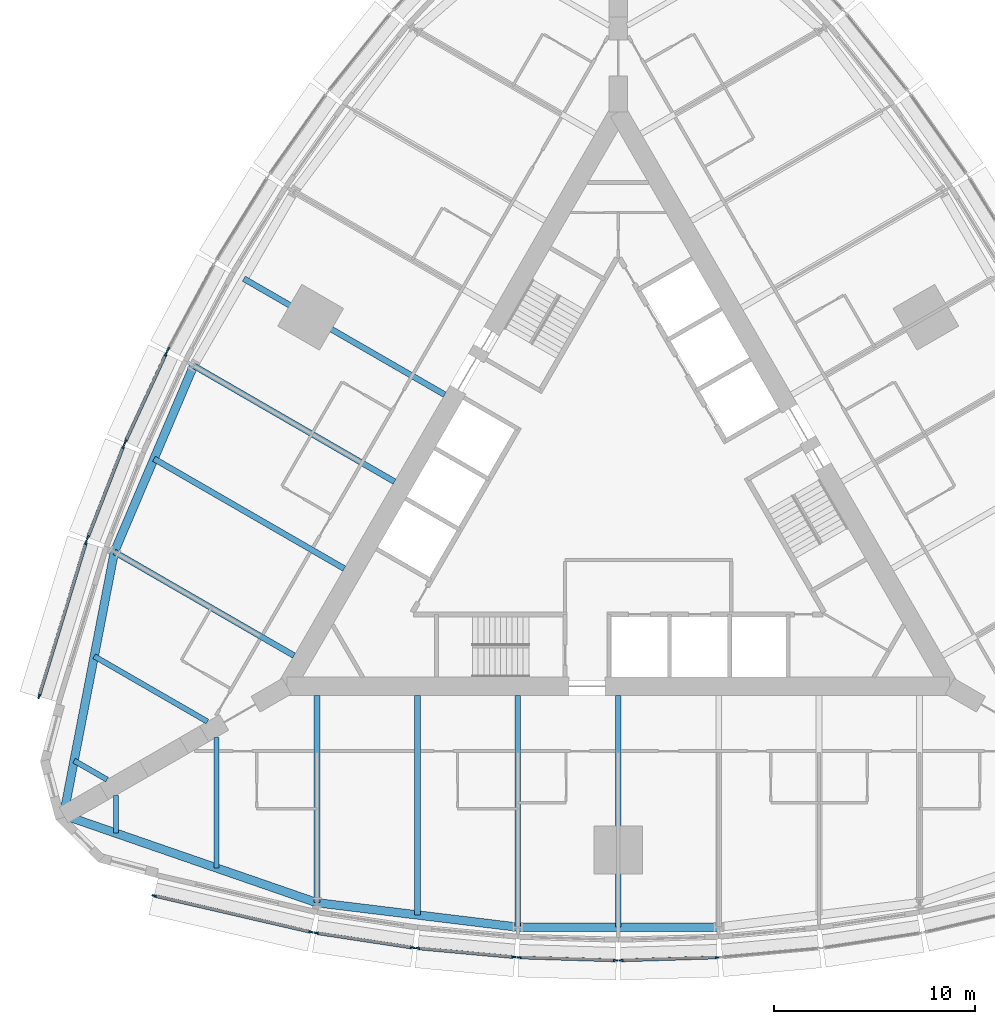
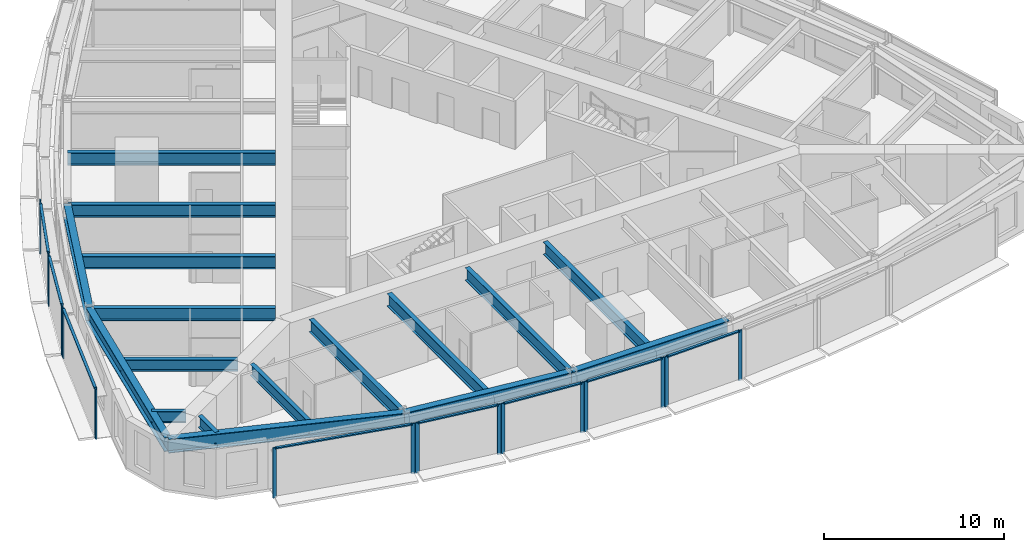
# One storey, part 2 of 14: 25 members, 17 beams, 9 elements without a shape of their own.
"""IFC4 building model written with IfcOpenShell, lengths in metres."""

from ifc_helpers import new_model, si_unit, direction, frame, origin, origin_2d, place, context, subcontext, project, spatial, rectangle, i_section, extrude, material, material_profile, profile_set, type_object, element, aggregate, save


model = new_model("IFC4")

# Units and contexts
model_context = context("Model", 3, precision=1e-05, world=origin(), true_north=direction((0.0, 1.0)))
body_context = subcontext(model_context, "Body", "Model", "MODEL_VIEW")
ifc_project = project(units=[si_unit("LENGTHUNIT", "METRE"), si_unit("AREAUNIT", "SQUARE_METRE"), si_unit("VOLUMEUNIT", "CUBIC_METRE"), si_unit("PLANEANGLEUNIT", "RADIAN"), si_unit("MASSUNIT", "GRAM", prefix="KILO")], contexts=[model_context])

# Site, building, storey
site_placement = place(None, origin())
site = spatial("IfcSite", under=ifc_project, at=site_placement, CompositionType="ELEMENT")
building_placement = place(site_placement, origin())
building = spatial("IfcBuilding", under=site, at=building_placement, Name="Trikona Tower", CompositionType="ELEMENT")
storey_placement = place(building_placement, frame((0.0, 0.0, 93.10009765625)))
storey = spatial("IfcBuildingStorey", under=building, at=storey_placement, Name="L24", CompositionType="ELEMENT", Elevation=93.10009765625)

# Curtain wall, members
ifc_material_1 = material(Name="Aluminium curtain wall system", Category="aluminium")
curtain_wall_type = type_object("IfcCurtainWallType", Name="Curtain wall DS1", PredefinedType="NOTDEFINED", material=ifc_material_1)
curtain_wall_1_placement = place(storey_placement, origin())
curtain_wall_1 = element("IfcCurtainWall", 1, at=curtain_wall_1_placement, inside=storey, type_object=curtain_wall_type, Name="Curtain wall DS1 L24", PredefinedType="NOTDEFINED")
ifc_material_2 = material(Name="Aluminium mullion, pale anodised", Category="aluminium")
ifc_material_profile_1 = material_profile(ifc_material_2, rectangle(XDim=0.080078125, YDim=0.219970703125, at=origin_2d()), Name="MUL-DS1")
ifc_profile_set_1 = profile_set([ifc_material_profile_1], Name="Aluminium mullion, pale anodised")
member_type_1 = type_object("IfcMemberType", Name="Mullion DS1 80x220", PredefinedType="MULLION", material=ifc_profile_set_1)
member_1_placement = place(storey_placement, frame((-23.10546875, -19.951904296875, 0.0), z_axis=(0.0, 0.0, 1.0), x_axis=(0.225343288756, 0.974279427173, 0.0)))
member_1 = element("IfcMember", 2, at=member_1_placement, type_object=member_type_1, Name="CW-DS1 mullion 1", PredefinedType="MULLION", context=body_context, shape_type="SweptSolid", body=[
    extrude(rectangle(XDim=0.080078125, YDim=0.219970703125, at=origin_2d()), origin(), (0.0, 0.0, 1.0), 3.39990234375),
])
member_2_placement = place(storey_placement, frame((-15.30029296875, -21.75732421875, 0.0), z_axis=(0.0, 0.0, 1.0), x_axis=(0.225343288756, 0.974279427173, 0.0)))
member_2 = element("IfcMember", 3, at=member_2_placement, type_object=member_type_1, Name="CW-DS1 mullion 2", PredefinedType="MULLION", context=body_context, shape_type="SweptSolid", body=[
    extrude(rectangle(XDim=0.080078125, YDim=0.219970703125, at=origin_2d()), origin(), (0.0, 0.0, 1.0), 3.39990234375),
])

curtain_wall_2_placement = place(storey_placement, origin())
curtain_wall_2 = element("IfcCurtainWall", 4, at=curtain_wall_2_placement, inside=storey, type_object=curtain_wall_type, Name="Curtain wall DS1 L24", PredefinedType="NOTDEFINED")
member_3_placement = place(storey_placement, frame((-15.03662109375, -21.807861328125, 0.0), z_axis=(0.0, 0.0, 1.0), x_axis=(0.150437693845, 0.988619492156, 0.0)))
member_3 = element("IfcMember", 5, at=member_3_placement, type_object=member_type_1, Name="CW-DS1 mullion 1", PredefinedType="MULLION", context=body_context, shape_type="SweptSolid", body=[
    extrude(rectangle(XDim=0.080078125, YDim=0.219970703125, at=origin_2d()), origin(), (0.0, 0.0, 1.0), 3.39990234375),
])
member_4_placement = place(storey_placement, frame((-10.234130859375, -22.53857421875, 0.0), z_axis=(0.0, 0.0, 1.0), x_axis=(0.150437693845, 0.988619492156, 0.0)))
member_4 = element("IfcMember", 6, at=member_4_placement, type_object=member_type_1, Name="CW-DS1 mullion 2", PredefinedType="MULLION", context=body_context, shape_type="SweptSolid", body=[
    extrude(rectangle(XDim=0.080078125, YDim=0.219970703125, at=origin_2d()), origin(), (0.0, 0.0, 1.0), 3.39990234375),
])

curtain_wall_3_placement = place(storey_placement, origin())
curtain_wall_3 = element("IfcCurtainWall", 7, at=curtain_wall_3_placement, inside=storey, type_object=curtain_wall_type, Name="Curtain wall DS1 L24", PredefinedType="NOTDEFINED")
member_5_placement = place(storey_placement, frame((-9.982177734375, -22.5693359375, 0.0), z_axis=(0.0, 0.0, 1.0), x_axis=(0.090923932737, 0.995857840485, 0.0)))
member_5 = element("IfcMember", 8, at=member_5_placement, type_object=member_type_1, Name="CW-DS1 mullion 1", PredefinedType="MULLION", context=body_context, shape_type="SweptSolid", body=[
    extrude(rectangle(XDim=0.080078125, YDim=0.219970703125, at=origin_2d()), origin(), (0.0, 0.0, 1.0), 3.39990234375),
])
member_6_placement = place(storey_placement, frame((-5.181396484375, -23.007568359375, 0.0), z_axis=(0.0, 0.0, 1.0), x_axis=(0.090923932737, 0.995857840485, 0.0)))
member_6 = element("IfcMember", 9, at=member_6_placement, type_object=member_type_1, Name="CW-DS1 mullion 2", PredefinedType="MULLION", context=body_context, shape_type="SweptSolid", body=[
    extrude(rectangle(XDim=0.080078125, YDim=0.219970703125, at=origin_2d()), origin(), (0.0, 0.0, 1.0), 3.39990234375),
])

curtain_wall_4_placement = place(storey_placement, origin())
curtain_wall_4 = element("IfcCurtainWall", 10, at=curtain_wall_4_placement, inside=storey, type_object=curtain_wall_type, Name="Curtain wall DS1 L24", PredefinedType="NOTDEFINED")
member_7_placement = place(storey_placement, frame((-4.927490234375, -23.02294921875, 0.0), z_axis=(0.0, 0.0, 1.0), x_axis=(0.030436711692, 0.999536695965, 0.0)))
member_7 = element("IfcMember", 11, at=member_7_placement, type_object=member_type_1, Name="CW-DS1 mullion 1", PredefinedType="MULLION", context=body_context, shape_type="SweptSolid", body=[
    extrude(rectangle(XDim=0.080078125, YDim=0.219970703125, at=origin_2d()), origin(), (0.0, 0.0, 1.0), 3.39990234375),
])
member_8_placement = place(storey_placement, frame((-0.12744140625, -23.169189453125, 0.0), z_axis=(0.0, 0.0, 1.0), x_axis=(0.030436711692, 0.999536695965, 0.0)))
member_8 = element("IfcMember", 12, at=member_8_placement, type_object=member_type_1, Name="CW-DS1 mullion 2", PredefinedType="MULLION", context=body_context, shape_type="SweptSolid", body=[
    extrude(rectangle(XDim=0.080078125, YDim=0.219970703125, at=origin_2d()), origin(), (0.0, 0.0, 1.0), 3.39990234375),
])

curtain_wall_5_placement = place(storey_placement, origin())
curtain_wall_5 = element("IfcCurtainWall", 13, at=curtain_wall_5_placement, inside=storey, type_object=curtain_wall_type, Name="Curtain wall DS1 L24", PredefinedType="NOTDEFINED")
member_9_placement = place(storey_placement, frame((0.12744140625, -23.169189453125, 0.0), z_axis=(0.0, 0.0, 1.0), x_axis=(-0.030436711692, 0.999536695965, 0.0)))
member_9 = element("IfcMember", 14, at=member_9_placement, type_object=member_type_1, Name="CW-DS1 mullion 1", PredefinedType="MULLION", context=body_context, shape_type="SweptSolid", body=[
    extrude(rectangle(XDim=0.080078125, YDim=0.219970703125, at=origin_2d()), origin(), (0.0, 0.0, 1.0), 3.39990234375),
])
member_10_placement = place(storey_placement, frame((4.927490234375, -23.02294921875, 0.0), z_axis=(0.0, 0.0, 1.0), x_axis=(-0.030436711692, 0.999536695965, 0.0)))
member_10 = element("IfcMember", 15, at=member_10_placement, type_object=member_type_1, Name="CW-DS1 mullion 2", PredefinedType="MULLION", context=body_context, shape_type="SweptSolid", body=[
    extrude(rectangle(XDim=0.080078125, YDim=0.219970703125, at=origin_2d()), origin(), (0.0, 0.0, 1.0), 3.39990234375),
])

# Curtain wall, member
curtain_wall_6_placement = place(storey_placement, origin())
curtain_wall_6 = element("IfcCurtainWall", 16, at=curtain_wall_6_placement, inside=storey, type_object=curtain_wall_type, Name="Curtain wall DS1 L24", PredefinedType="NOTDEFINED")
member_11_placement = place(storey_placement, frame((-22.402099609375, 7.244140625, 0.0), z_axis=(0.0, 0.0, 1.0), x_axis=(0.880843080975, -0.473408350896, 0.0)))
member_11 = element("IfcMember", 17, at=member_11_placement, type_object=member_type_1, Name="CW-DS1 mullion 2", PredefinedType="MULLION", context=body_context, shape_type="SweptSolid", body=[
    extrude(rectangle(XDim=0.080078125, YDim=0.219970703125, at=origin_2d()), origin(), (0.0, 0.0, 1.0), 3.39990234375),
])
aggregate(curtain_wall_6, [member_11])

# Curtain wall, members
curtain_wall_7_placement = place(storey_placement, origin())
curtain_wall_7 = element("IfcCurtainWall", 18, at=curtain_wall_7_placement, inside=storey, type_object=curtain_wall_type, Name="Curtain wall DS1 L24", PredefinedType="NOTDEFINED")
member_12_placement = place(storey_placement, frame((-22.515869140625, 7.0166015625, 0.0), z_axis=(0.0, 0.0, 1.0), x_axis=(0.907898459992, -0.419190155352, 0.0)))
member_12 = element("IfcMember", 19, at=member_12_placement, type_object=member_type_1, Name="CW-DS1 mullion 1", PredefinedType="MULLION", context=body_context, shape_type="SweptSolid", body=[
    extrude(rectangle(XDim=0.080078125, YDim=0.219970703125, at=origin_2d()), origin(), (0.0, 0.0, 1.0), 3.39990234375),
])
member_13_placement = place(storey_placement, frame((-24.53662109375, 2.6396484375, 0.0), z_axis=(0.0, 0.0, 1.0), x_axis=(0.907898459992, -0.419190155352, 0.0)))
member_13 = element("IfcMember", 20, at=member_13_placement, type_object=member_type_1, Name="CW-DS1 mullion 2", PredefinedType="MULLION", context=body_context, shape_type="SweptSolid", body=[
    extrude(rectangle(XDim=0.080078125, YDim=0.219970703125, at=origin_2d()), origin(), (0.0, 0.0, 1.0), 3.39990234375),
])

curtain_wall_8_placement = place(storey_placement, origin())
curtain_wall_8 = element("IfcCurtainWall", 21, at=curtain_wall_8_placement, inside=storey, type_object=curtain_wall_type, Name="Curtain wall DS1 L24", PredefinedType="NOTDEFINED")
member_14_placement = place(storey_placement, frame((-24.63623046875, 2.40625, 0.0), z_axis=(0.0, 0.0, 1.0), x_axis=(0.931395989443, -0.36400756977, 0.0)))
member_14 = element("IfcMember", 22, at=member_14_placement, type_object=member_type_1, Name="CW-DS1 mullion 1", PredefinedType="MULLION", context=body_context, shape_type="SweptSolid", body=[
    extrude(rectangle(XDim=0.080078125, YDim=0.219970703125, at=origin_2d()), origin(), (0.0, 0.0, 1.0), 3.39990234375),
])
member_15_placement = place(storey_placement, frame((-26.404296875, -2.1181640625, 0.0), z_axis=(0.0, 0.0, 1.0), x_axis=(0.931395989443, -0.36400756977, 0.0)))
member_15 = element("IfcMember", 23, at=member_15_placement, type_object=member_type_1, Name="CW-DS1 mullion 2", PredefinedType="MULLION", context=body_context, shape_type="SweptSolid", body=[
    extrude(rectangle(XDim=0.080078125, YDim=0.219970703125, at=origin_2d()), origin(), (0.0, 0.0, 1.0), 3.39990234375),
])

curtain_wall_9_placement = place(storey_placement, origin())
curtain_wall_9 = element("IfcCurtainWall", 24, at=curtain_wall_9_placement, inside=storey, type_object=curtain_wall_type, Name="Curtain wall DS1 L24", PredefinedType="NOTDEFINED")
member_16_placement = place(storey_placement, frame((-26.492431640625, -2.371826171875, 0.0), z_axis=(0.0, 0.0, 1.0), x_axis=(0.956423115383, -0.291984287868, 0.0)))
member_16 = element("IfcMember", 25, at=member_16_placement, type_object=member_type_1, Name="CW-DS1 mullion 1", PredefinedType="MULLION", context=body_context, shape_type="SweptSolid", body=[
    extrude(rectangle(XDim=0.080078125, YDim=0.219970703125, at=origin_2d()), origin(), (0.0, 0.0, 1.0), 3.39990234375),
])
member_17_placement = place(storey_placement, frame((-28.83154296875, -10.033935546875, 0.0), z_axis=(0.0, 0.0, 1.0), x_axis=(0.956423115383, -0.291984287868, 0.0)))
member_17 = element("IfcMember", 26, at=member_17_placement, type_object=member_type_1, Name="CW-DS1 mullion 2", PredefinedType="MULLION", context=body_context, shape_type="SweptSolid", body=[
    extrude(rectangle(XDim=0.080078125, YDim=0.219970703125, at=origin_2d()), origin(), (0.0, 0.0, 1.0), 3.39990234375),
])

# Beams
ifc_material_3 = material(Name="Steel ASTM A992 Grade 50", Category="steel")
ifc_material_profile_2 = material_profile(ifc_material_3, i_section(OverallWidth=0.2666015625, OverallDepth=0.76953125, WebThickness=0.015625, FlangeThickness=0.025390625, at=origin_2d()), Name="W30X132")
ifc_profile_set_2 = profile_set([ifc_material_profile_2], Name="Steel ASTM A992 Grade 50")
beam_type_1 = type_object("IfcBeamType", Name="Steel beam W30x132 (wedge)", PredefinedType="BEAM", material=ifc_profile_set_2)
beam_1_placement = place(storey_placement, frame((-25.0, -14.953369140625, 2.85009765625), z_axis=(0.0, -1.0, 0.0), x_axis=(1.0, 0.0, 0.0)))
element("IfcBeam", 27, at=beam_1_placement, inside=storey, type_object=beam_type_1, Name="Floor beam L25 F1 u-25", PredefinedType="BEAM", context=body_context, shape_type="SweptSolid", body=[
    extrude(i_section(OverallWidth=0.2666015625, OverallDepth=0.76953125, WebThickness=0.015625, FlangeThickness=0.025390625, at=origin_2d()), origin(), (0.0, 0.0, 1.0), 1.890380859375),
])
for number, where, z_axis, x_axis, name in (
    (28, (-20.0, -12.066650390625, 2.85009765625), (0.0, -1.0, 0.0), (1.0, 0.0, 0.0), "Floor beam L25 F1 u-20"),
    (29, (-20.449951171875, -11.287109375, 2.85009765625), (-0.866022504693, 0.50000502134, 0.0), (-0.50000502134, -0.866022504693, 0.0), "Floor beam L25 F3 u20"),
):
    element("IfcBeam", number, at=place(storey_placement, frame(where, z_axis=z_axis, x_axis=x_axis)), inside=storey, type_object=beam_type_1, Name=name, PredefinedType="BEAM", context=body_context, shape_type="SweptSolid", body=[
        extrude(i_section(OverallWidth=0.2666015625, OverallDepth=0.76953125, WebThickness=0.015625, FlangeThickness=0.025390625, at=origin_2d()), origin(), (0.0, 0.0, 1.0), 6.5068359375),
    ])
beam_2_placement = place(storey_placement, frame((-25.449951171875, -14.173828125, 2.85009765625), z_axis=(-0.866065156741, 0.499931139538, 0.0), x_axis=(-0.499931139538, -0.866065156741, 0.0)))
element("IfcBeam", 30, at=beam_2_placement, inside=storey, type_object=beam_type_1, Name="Floor beam L25 F3 u25", PredefinedType="BEAM", context=body_context, shape_type="SweptSolid", body=[
    extrude(i_section(OverallWidth=0.2666015625, OverallDepth=0.76953125, WebThickness=0.015625, FlangeThickness=0.025390625, at=origin_2d()), origin(), (0.0, 0.0, 1.0), 1.890380859375),
])
ifc_material_4 = material(Name="Steel ASTM A992 Grade 50", Category="steel")
ifc_material_profile_3 = material_profile(ifc_material_4, i_section(OverallWidth=0.2919921875, OverallDepth=0.845703125, WebThickness=0.015380859375, FlangeThickness=0.0244140625, at=origin_2d()), Name="W33X141")
ifc_profile_set_3 = profile_set([ifc_material_profile_3], Name="Steel ASTM A992 Grade 50")
beam_type_2 = type_object("IfcBeamType", Name="Steel beam W33x141 (radial typ)", PredefinedType="BEAM", material=ifc_profile_set_3)
beam_3_placement = place(storey_placement, frame((-15.0, -9.976318359375, 2.81201171875), z_axis=(0.0, -1.0, 0.0), x_axis=(1.0, 0.0, 0.0)))
element("IfcBeam", 31, at=beam_3_placement, inside=storey, type_object=beam_type_2, Name="Floor beam L25 F1 u-15", PredefinedType="BEAM", context=body_context, shape_type="SweptSolid", body=[
    extrude(i_section(OverallWidth=0.2919921875, OverallDepth=0.845703125, WebThickness=0.015380859375, FlangeThickness=0.0244140625, at=origin_2d()), origin(), (0.0, 0.0, 1.0), 10.32666015625),
])
beam_4_placement = place(storey_placement, frame((-10.0, -9.976318359375, 2.81201171875), z_axis=(0.0, -1.0, 0.0), x_axis=(1.0, 0.0, 0.0)))
element("IfcBeam", 32, at=beam_4_placement, inside=storey, type_object=beam_type_2, Name="Floor beam L25 F1 u-10", PredefinedType="BEAM", context=body_context, shape_type="SweptSolid", body=[
    extrude(i_section(OverallWidth=0.2919921875, OverallDepth=0.845703125, WebThickness=0.015380859375, FlangeThickness=0.0244140625, at=origin_2d()), origin(), (0.0, 0.0, 1.0), 10.935302734375),
])
for number, where, z_axis, x_axis, name in (
    (33, (-5.0, -9.976318359375, 2.81201171875), (0.0, -1.0, 0.0), (1.0, 0.0, 0.0), "Floor beam L25 F1 u-5"),
    (34, (0.0, -9.976318359375, 2.81201171875), (0.0, -1.0, 0.0), (1.0, 0.0, 0.0), "Floor beam L25 F1 u0"),
    (35, (-8.6396484375, 4.988037109375, 2.81201171875), (-0.866020765707, 0.500008033299, 0.0), (-0.500008033299, -0.866020765707, 0.0), "Floor beam L25 F3 u0"),
    (36, (-11.1396484375, 0.657958984375, 2.81201171875), (-0.866020765707, 0.500008033299, 0.0), (-0.500008033299, -0.866020765707, 0.0), "Floor beam L25 F3 u5"),
):
    element("IfcBeam", number, at=place(storey_placement, frame(where, z_axis=z_axis, x_axis=x_axis)), inside=storey, type_object=beam_type_2, Name=name, PredefinedType="BEAM", context=body_context, shape_type="SweptSolid", body=[
        extrude(i_section(OverallWidth=0.2919921875, OverallDepth=0.845703125, WebThickness=0.015380859375, FlangeThickness=0.0244140625, at=origin_2d()), origin(), (0.0, 0.0, 1.0), 11.544189453125),
    ])
beam_5_placement = place(storey_placement, frame((-13.6396484375, -3.672119140625, 2.81201171875), z_axis=(-0.866025348605, 0.500000095573, 0.0), x_axis=(-0.500000095573, -0.866025348605, 0.0)))
element("IfcBeam", 37, at=beam_5_placement, inside=storey, type_object=beam_type_2, Name="Floor beam L25 F3 u10", PredefinedType="BEAM", context=body_context, shape_type="SweptSolid", body=[
    extrude(i_section(OverallWidth=0.2919921875, OverallDepth=0.845703125, WebThickness=0.015380859375, FlangeThickness=0.0244140625, at=origin_2d()), origin(), (0.0, 0.0, 1.0), 10.935546875),
])
beam_6_placement = place(storey_placement, frame((-16.1396484375, -8.002197265625, 2.81201171875), z_axis=(-0.866030471684, 0.499991222037, 0.0), x_axis=(-0.499991222037, -0.866030471684, 0.0)))
element("IfcBeam", 38, at=beam_6_placement, inside=storey, type_object=beam_type_2, Name="Floor beam L25 F3 u15", PredefinedType="BEAM", context=body_context, shape_type="SweptSolid", body=[
    extrude(i_section(OverallWidth=0.2919921875, OverallDepth=0.845703125, WebThickness=0.015380859375, FlangeThickness=0.0244140625, at=origin_2d()), origin(), (0.0, 0.0, 1.0), 10.326904296875),
])
ifc_material_5 = material(Name="Steel ASTM A992 Grade 50", Category="steel")
ifc_material_profile_4 = material_profile(ifc_material_5, i_section(OverallWidth=0.424072265625, OverallDepth=0.947509765625, WebThickness=0.02392578125, FlangeThickness=0.042724609375, at=origin_2d()), Name="W36X302")
ifc_profile_set_4 = profile_set([ifc_material_profile_4], Name="Steel ASTM A992 Grade 50")
beam_type_3 = type_object("IfcBeamType", Name="Steel beam W36x302 (spandrel)", PredefinedType="SPANDREL", material=ifc_profile_set_4)
beam_7_placement = place(storey_placement, frame((-27.6103515625, -15.94091796875, 2.76123046875), z_axis=(0.945056965739, -0.326905692071, 0.0), x_axis=(0.326905692071, 0.945056965739, 0.0)))
element("IfcBeam", 39, at=beam_7_placement, inside=storey, type_object=beam_type_3, Name="Spandrel beam L25 F1-1", PredefinedType="SPANDREL", context=body_context, shape_type="SweptSolid", body=[
    extrude(i_section(OverallWidth=0.424072265625, OverallDepth=0.947509765625, WebThickness=0.02392578125, FlangeThickness=0.042724609375, at=origin_2d()), origin(), (0.0, 0.0, 1.0), 13.343505859375),
])
beam_8_placement = place(storey_placement, frame((-15.0, -20.302978515625, 2.76123046875), z_axis=(0.99266951126, -0.120860421207, 0.0), x_axis=(0.120860421207, 0.99266951126, 0.0)))
element("IfcBeam", 40, at=beam_8_placement, inside=storey, type_object=beam_type_3, Name="Spandrel beam L25 F1-2", PredefinedType="SPANDREL", context=body_context, shape_type="SweptSolid", body=[
    extrude(i_section(OverallWidth=0.424072265625, OverallDepth=0.947509765625, WebThickness=0.02392578125, FlangeThickness=0.042724609375, at=origin_2d()), origin(), (0.0, 0.0, 1.0), 10.07373046875),
])
beam_9_placement = place(storey_placement, frame((-5.0, -21.5205078125, 2.76123046875), z_axis=(1.0, 0.0, 0.0), x_axis=(0.0, 1.0, 0.0)))
element("IfcBeam", 41, at=beam_9_placement, inside=storey, type_object=beam_type_3, Name="Spandrel beam L25 F1-3", PredefinedType="SPANDREL", context=body_context, shape_type="SweptSolid", body=[
    extrude(i_section(OverallWidth=0.424072265625, OverallDepth=0.947509765625, WebThickness=0.02392578125, FlangeThickness=0.042724609375, at=origin_2d()), origin(), (0.0, 0.0, 1.0), 10.0),
])
beam_10_placement = place(storey_placement, frame((-21.13720703125, 6.43017578125, 2.76123046875), z_axis=(-0.391683514847, -0.920100007715, 0.0), x_axis=(0.920100007715, -0.391683514847, 0.0)))
element("IfcBeam", 42, at=beam_10_placement, inside=storey, type_object=beam_type_3, Name="Spandrel beam L25 F3-4", PredefinedType="SPANDREL", context=body_context, shape_type="SweptSolid", body=[
    extrude(i_section(OverallWidth=0.424072265625, OverallDepth=0.947509765625, WebThickness=0.02392578125, FlangeThickness=0.042724609375, at=origin_2d()), origin(), (0.0, 0.0, 1.0), 10.073974609375),
])
beam_11_placement = place(storey_placement, frame((-25.0830078125, -2.8388671875, 2.76123046875), z_axis=(-0.189405184036, -0.981899015307, 0.0), x_axis=(0.981899015307, -0.189405184036, 0.0)))
element("IfcBeam", 43, at=beam_11_placement, inside=storey, type_object=beam_type_3, Name="Spandrel beam L25 F3-5", PredefinedType="SPANDREL", context=body_context, shape_type="SweptSolid", body=[
    extrude(i_section(OverallWidth=0.424072265625, OverallDepth=0.947509765625, WebThickness=0.02392578125, FlangeThickness=0.042724609375, at=origin_2d()), origin(), (0.0, 0.0, 1.0), 13.343505859375),
])

# Member
ifc_material_6 = material(Name="Aluminium transom, pale anodised", Category="aluminium")
ifc_material_profile_5 = material_profile(ifc_material_6, rectangle(XDim=0.159912109375, YDim=0.080078125, at=origin_2d()), Name="TRN-DS1")
ifc_profile_set_5 = profile_set([ifc_material_profile_5], Name="Aluminium transom, pale anodised")
member_type_2 = type_object("IfcMemberType", Name="Transom DS1 80x160", PredefinedType="USERDEFINED", material=ifc_profile_set_5)
member_18_placement = place(storey_placement, frame((-23.06640625, -19.9609375, 3.35986328125), z_axis=(0.974275371842, -0.225360821398, 0.0), x_axis=(0.225360821398, 0.974275371842, 0.0)))
member_18 = element("IfcMember", 44, at=member_18_placement, type_object=member_type_2, Name="CW-DS1 transom 1.1", ObjectType="TRANSOM", PredefinedType="USERDEFINED", context=body_context, shape_type="SweptSolid", body=[
    extrude(rectangle(XDim=0.159912109375, YDim=0.080078125, at=origin_2d()), origin(), (0.0, 0.0, 1.0), 7.93115234375),
])

aggregate(curtain_wall_1, [member_1, member_2, member_18])

member_19_placement = place(storey_placement, frame((-14.9970703125, -21.813720703125, 3.35986328125), z_axis=(0.988619663412, -0.150436568413, 0.0), x_axis=(0.150436568413, 0.988619663412, 0.0)))
member_19 = element("IfcMember", 45, at=member_19_placement, type_object=member_type_2, Name="CW-DS1 transom 1.1", ObjectType="TRANSOM", PredefinedType="USERDEFINED", context=body_context, shape_type="SweptSolid", body=[
    extrude(rectangle(XDim=0.159912109375, YDim=0.080078125, at=origin_2d()), origin(), (0.0, 0.0, 1.0), 4.77783203125),
])

aggregate(curtain_wall_2, [member_3, member_4, member_19])

member_20_placement = place(storey_placement, frame((-9.9423828125, -22.57275390625, 3.35986328125), z_axis=(0.995855977008, -0.090944340438, 0.0), x_axis=(0.090944340438, 0.995855977008, 0.0)))
member_20 = element("IfcMember", 46, at=member_20_placement, type_object=member_type_2, Name="CW-DS1 transom 1.1", ObjectType="TRANSOM", PredefinedType="USERDEFINED", context=body_context, shape_type="SweptSolid", body=[
    extrude(rectangle(XDim=0.159912109375, YDim=0.080078125, at=origin_2d()), origin(), (0.0, 0.0, 1.0), 4.74072265625),
])

aggregate(curtain_wall_3, [member_5, member_6, member_20])

member_21_placement = place(storey_placement, frame((-4.887451171875, -23.024169921875, 3.35986328125), z_axis=(0.999536232946, -0.030451913371, 0.0), x_axis=(0.030451913371, 0.999536232946, 0.0)))
member_21 = element("IfcMember", 47, at=member_21_placement, type_object=member_type_2, Name="CW-DS1 transom 1.1", ObjectType="TRANSOM", PredefinedType="USERDEFINED", context=body_context, shape_type="SweptSolid", body=[
    extrude(rectangle(XDim=0.159912109375, YDim=0.080078125, at=origin_2d()), origin(), (0.0, 0.0, 1.0), 4.72216796875),
])

aggregate(curtain_wall_4, [member_7, member_8, member_21])

member_22_placement = place(storey_placement, frame((0.16748046875, -23.16796875, 3.35986328125), z_axis=(0.999536232946, 0.030451913371, 0.0), x_axis=(-0.030451913371, 0.999536232946, 0.0)))
member_22 = element("IfcMember", 48, at=member_22_placement, type_object=member_type_2, Name="CW-DS1 transom 1.1", ObjectType="TRANSOM", PredefinedType="USERDEFINED", context=body_context, shape_type="SweptSolid", body=[
    extrude(rectangle(XDim=0.159912109375, YDim=0.080078125, at=origin_2d()), origin(), (0.0, 0.0, 1.0), 4.72216796875),
])

aggregate(curtain_wall_5, [member_9, member_10, member_22])

member_23_placement = place(storey_placement, frame((-22.53271484375, 6.980224609375, 3.35986328125), z_axis=(-0.419188800665, -0.90789908547, 0.0), x_axis=(0.90789908547, -0.419188800665, 0.0)))
member_23 = element("IfcMember", 49, at=member_23_placement, type_object=member_type_2, Name="CW-DS1 transom 1.1", ObjectType="TRANSOM", PredefinedType="USERDEFINED", context=body_context, shape_type="SweptSolid", body=[
    extrude(rectangle(XDim=0.159912109375, YDim=0.080078125, at=origin_2d()), origin(), (0.0, 0.0, 1.0), 4.74072265625),
])

aggregate(curtain_wall_7, [member_12, member_13, member_23])

member_24_placement = place(storey_placement, frame((-24.650634765625, 2.368896484375, 3.35986328125), z_axis=(-0.364048647668, -0.931379934362, 0.0), x_axis=(0.931379934362, -0.364048647668, 0.0)))
member_24 = element("IfcMember", 50, at=member_24_placement, type_object=member_type_2, Name="CW-DS1 transom 1.1", ObjectType="TRANSOM", PredefinedType="USERDEFINED", context=body_context, shape_type="SweptSolid", body=[
    extrude(rectangle(XDim=0.159912109375, YDim=0.080078125, at=origin_2d()), origin(), (0.0, 0.0, 1.0), 4.777587890625),
])

aggregate(curtain_wall_8, [member_14, member_15, member_24])

member_25_placement = place(storey_placement, frame((-26.504150390625, -2.409912109375, 3.35986328125), z_axis=(-0.291967490203, -0.956428243343, 0.0), x_axis=(0.956428243343, -0.291967490203, 0.0)))
member_25 = element("IfcMember", 51, at=member_25_placement, type_object=member_type_2, Name="CW-DS1 transom 1.1", ObjectType="TRANSOM", PredefinedType="USERDEFINED", context=body_context, shape_type="SweptSolid", body=[
    extrude(rectangle(XDim=0.159912109375, YDim=0.080078125, at=origin_2d()), origin(), (0.0, 0.0, 1.0), 7.93115234375),
])

aggregate(curtain_wall_9, [member_16, member_17, member_25])

save(model, "model.ifc")
